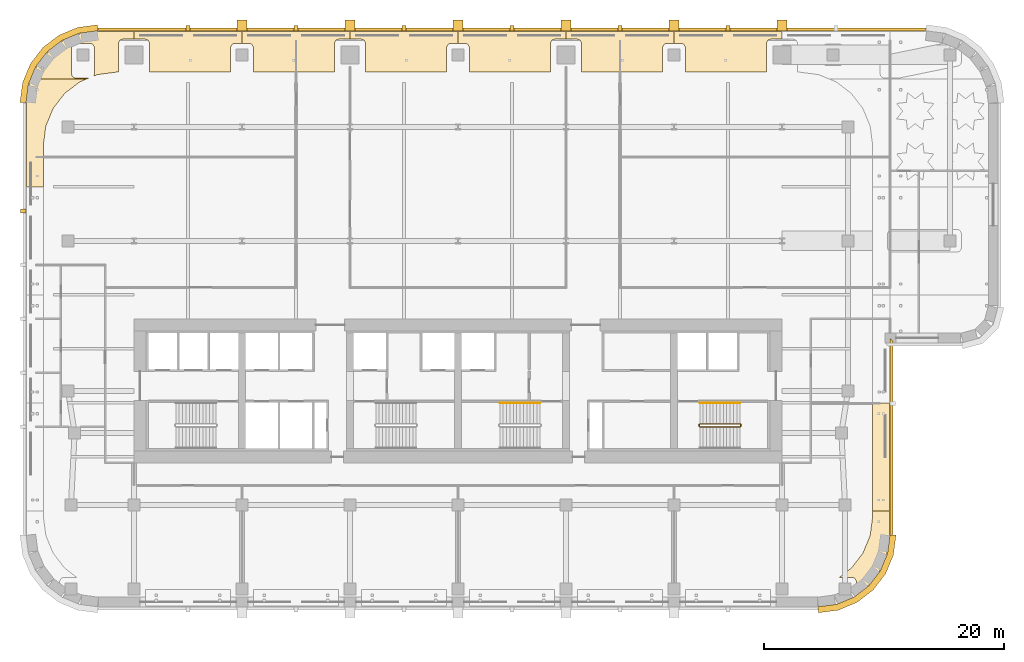
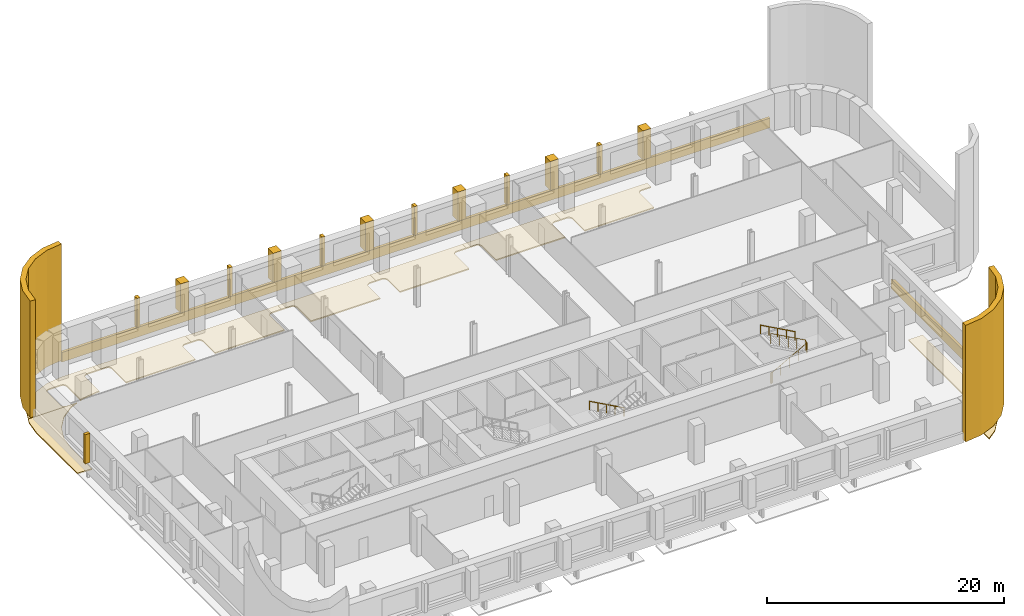
# One storey, part 12 of 13: 27 coverings, 3 railings.
"""IFC4 building model written with IfcOpenShell, lengths in metres."""

from ifc_helpers import new_model, si_unit, direction, frame, origin, origin_2d, place, context, subcontext, project, spatial, polyline, circle, outline, extrude, material, layer, layer_set, type_object, element, save


model = new_model("IFC4")

# Units and contexts
model_context = context("Model", 3, precision=1e-05, world=origin(), true_north=direction((0.0, 1.0)))
body_context = subcontext(model_context, "Body", "Model", "MODEL_VIEW")
ifc_project = project(units=[si_unit("LENGTHUNIT", "METRE"), si_unit("AREAUNIT", "SQUARE_METRE"), si_unit("VOLUMEUNIT", "CUBIC_METRE"), si_unit("PLANEANGLEUNIT", "RADIAN"), si_unit("MASSUNIT", "GRAM", prefix="KILO")], contexts=[model_context])

# Site, building, storey
site_placement = place(None, origin())
site = spatial("IfcSite", under=ifc_project, at=site_placement, CompositionType="ELEMENT")
building_placement = place(site_placement, origin())
building = spatial("IfcBuilding", under=site, at=building_placement, Name="Zellij Exchange Tower", CompositionType="ELEMENT")
storey_placement = place(building_placement, frame((0.0, 0.0, 108.5)))
storey = spatial("IfcBuildingStorey", under=building, at=storey_placement, Name="L23", CompositionType="ELEMENT", Elevation=108.5)

# Railings
ifc_material_1 = material(Name="Stainless steel", Category="steel")
railing_type_1 = type_object("IfcRailingType", Name="CORE-RG stair guard", PredefinedType="GUARDRAIL", material=ifc_material_1)
railing_placement = place(storey_placement, frame((20.10009765625, -10.949951171875, 0.0)))
element("IfcRailing", 1, at=railing_placement, inside=storey, type_object=railing_type_1, Name="ST4 stair guard L23", PredefinedType="GUARDRAIL", context=body_context, shape_type="SweptSolid", body=[
    extrude(circle(Radius=0.02392578125, at=origin_2d()), frame((0.0, 0.0, 1.076171875), z_axis=(0.0, 1.0, 0.0), x_axis=(-1.0, 0.0, 0.0)), (0.0, 0.0, 1.0), 0.14990234375),
    extrude(circle(Radius=0.02392578125, at=origin_2d()), frame((0.0, 0.14990234375, 1.076171875), z_axis=(0.193691321961, -0.777613689637, 0.598164376644), x_axis=(0.970351222016, 0.241699205484, 0.0)), (0.0, 0.0, 1.0), 0.257080078125),
    extrude(circle(Radius=0.02392578125, at=origin_2d()), frame((0.0498046875, -0.050048828125, 1.22998046875), z_axis=(0.876421534553, 0.0, 0.481544695509), x_axis=(0.0, 1.0, 0.0)), (0.0, 0.0, 1.0), 3.833984375),
    extrude(circle(Radius=0.02392578125, at=origin_2d()), frame((3.409912109375, -0.050048828125, 3.076171875), z_axis=(0.707106781187, 0.707106781187, 0.0), x_axis=(-0.707106781187, 0.707106781187, 0.0)), (0.0, 0.0, 1.0), 0.07080078125),
    extrude(circle(Radius=0.02392578125, at=origin_2d()), frame((3.4599609375, 0.0, 3.076171875), z_axis=(0.0, 1.0, 0.0), x_axis=(-1.0, 0.0, 0.0)), (0.0, 0.0, 1.0), 0.14990234375),
    extrude(circle(Radius=0.02392578125, at=origin_2d()), frame((3.4599609375, 0.14990234375, 3.076171875), z_axis=(-0.295599637079, 0.295599637079, 0.908428152975), x_axis=(-0.707106781187, -0.707106781187, 0.0)), (0.0, 0.0, 1.0), 0.16943359375),
    extrude(circle(Radius=0.02392578125, at=origin_2d()), frame((3.409912109375, 0.199951171875, 3.22998046875), z_axis=(-0.876421534553, 0.0, 0.481544695509), x_axis=(0.0, -1.0, 0.0)), (0.0, 0.0, 1.0), 3.833984375),
    extrude(circle(Radius=0.02099609375, at=origin_2d()), origin(), (0.0, 0.0, 1.0), 1.052001953125),
    extrude(circle(Radius=0.02099609375, at=origin_2d()), frame((0.0, 0.14990234375, 0.0)), (0.0, 0.0, 1.0), 1.052001953125),
    extrude(circle(Radius=0.02099609375, at=origin_2d()), frame((0.0498046875, -0.050048828125, 0.15380859375)), (0.0, 0.0, 1.0), 1.052001953125),
    extrude(circle(Radius=0.02099609375, at=origin_2d()), frame((0.889892578125, -0.050048828125, 0.615234375)), (0.0, 0.0, 1.0), 1.052001953125),
    extrude(circle(Radius=0.02099609375, at=origin_2d()), frame((1.72998046875, -0.050048828125, 1.076904296875)), (0.0, 0.0, 1.0), 1.052001953125),
    extrude(circle(Radius=0.02099609375, at=origin_2d()), frame((2.56982421875, -0.050048828125, 1.53857421875)), (0.0, 0.0, 1.0), 1.052001953125),
    extrude(circle(Radius=0.02099609375, at=origin_2d()), frame((3.409912109375, -0.050048828125, 2.0)), (0.0, 0.0, 1.0), 1.052001953125),
    extrude(circle(Radius=0.02099609375, at=origin_2d()), frame((3.4599609375, 0.0, 2.0)), (0.0, 0.0, 1.0), 1.052001953125),
    extrude(circle(Radius=0.02099609375, at=origin_2d()), frame((3.4599609375, 0.14990234375, 2.0)), (0.0, 0.0, 1.0), 1.052001953125),
    extrude(circle(Radius=0.02099609375, at=origin_2d()), frame((3.409912109375, 0.199951171875, 2.15380859375)), (0.0, 0.0, 1.0), 1.052001953125),
    extrude(circle(Radius=0.02099609375, at=origin_2d()), frame((2.56982421875, 0.199951171875, 2.615234375)), (0.0, 0.0, 1.0), 1.052001953125),
    extrude(circle(Radius=0.02099609375, at=origin_2d()), frame((1.72998046875, 0.199951171875, 3.076904296875)), (0.0, 0.0, 1.0), 1.052001953125),
    extrude(circle(Radius=0.02099609375, at=origin_2d()), frame((0.889892578125, 0.199951171875, 3.53857421875)), (0.0, 0.0, 1.0), 1.052001953125),
    extrude(circle(Radius=0.02099609375, at=origin_2d()), frame((0.0498046875, 0.199951171875, 4.0)), (0.0, 0.0, 1.0), 1.052001953125),
])
railing_type_2 = type_object("IfcRailingType", Name="CORE-RH stair handrail", PredefinedType="HANDRAIL", material=ifc_material_1)
for number, where, name in (
    (2, (6.85009765625, -9.0, 0.15380859375), "ST3 stair handrail L23"),
    (3, (23.510009765625, -9.0, 2.15380859375), "ST4 stair handrail L23"),
):
    element("IfcRailing", number, at=place(storey_placement, frame(where)), inside=storey, type_object=railing_type_2, Name=name, PredefinedType="HANDRAIL", context=body_context, shape_type="SweptSolid", body=[
        extrude(circle(Radius=0.02392578125, at=origin_2d()), frame((0.0, 0.0, 0.8759765625), z_axis=(-0.876421534553, 0.0, 0.481544695509), x_axis=(0.0, -1.0, 0.0)), (0.0, 0.0, 1.0), 3.833984375),
        extrude(circle(Radius=0.02099609375, at=origin_2d()), origin(), (0.0, 0.0, 1.0), 0.851806640625),
        extrude(circle(Radius=0.02099609375, at=origin_2d()), frame((-0.840087890625, 0.0, 0.46142578125)), (0.0, 0.0, 1.0), 0.851806640625),
        extrude(circle(Radius=0.02099609375, at=origin_2d()), frame((-1.68017578125, 0.0, 0.923095703125)), (0.0, 0.0, 1.0), 0.851806640625),
        extrude(circle(Radius=0.02099609375, at=origin_2d()), frame((-2.52001953125, 0.0, 1.384765625)), (0.0, 0.0, 1.0), 0.851806640625),
        extrude(circle(Radius=0.02099609375, at=origin_2d()), frame((-3.360107421875, 0.0, 1.84619140625)), (0.0, 0.0, 1.0), 0.851806640625),
    ])

# Coverings
ifc_material_2 = material(Name="Limestone cladding", Category="masonry")
ifc_layer_1 = layer(ifc_material_2, 0.5)
ifc_layer_set_1 = layer_set([ifc_layer_1], Name="Limestone cladding")
covering_type_1 = type_object("IfcCoveringType", Name="ENV-CV12 Stone corner pier 500", PredefinedType="CLADDING", material=ifc_layer_set_1)
covering_1_placement = place(storey_placement, origin())
element("IfcCovering", 4, at=covering_1_placement, inside=storey, type_object=covering_type_1, Name="Stone corner pier", PredefinedType="CLADDING", context=body_context, shape_type="SweptSolid", body=[
    extrude(outline(polyline([(30.0, -26.0), (31.552978515625, -25.795654296875), (33.0, -25.1962890625), (34.24267578125, -24.24267578125), (35.1962890625, -23.0), (35.795654296875, -21.552978515625), (36.0, -20.0), (36.5, -20.03271484375), (36.28271484375, -21.683349609375), (35.6328125, -23.252197265625), (34.59912109375, -24.59912109375), (33.252197265625, -25.6328125), (31.683349609375, -26.28271484375), (30.03271484375, -26.5), (30.0, -26.0)])), origin(), (0.0, 0.0, 1.0), 12.0),
])
covering_2_placement = place(storey_placement, origin())
element("IfcCovering", 5, at=covering_2_placement, inside=storey, type_object=covering_type_1, Name="Stone corner pier", PredefinedType="CLADDING", context=body_context, shape_type="SweptSolid", body=[
    extrude(outline(polyline([(-30.0, 22.0), (-31.552978515625, 21.795654296875), (-33.0, 21.1962890625), (-34.24267578125, 20.24267578125), (-35.1962890625, 19.0), (-35.795654296875, 17.552978515625), (-36.0, 16.0), (-36.5, 16.03271484375), (-36.28271484375, 17.683349609375), (-35.6328125, 19.252197265625), (-34.59912109375, 20.59912109375), (-33.252197265625, 21.6328125), (-31.683349609375, 22.28271484375), (-30.03271484375, 22.5), (-30.0, 22.0)])), origin(), (0.0, 0.0, 1.0), 12.0),
])
covering_type_2 = type_object("IfcCoveringType", Name="ENV-CV5 Stone pier 800x900", PredefinedType="CLADDING", material=ifc_material_2)
covering_3_placement = place(storey_placement, frame((0.0, 0.0, 0.800048828125)))
element("IfcCovering", 6, at=covering_3_placement, inside=storey, type_object=covering_type_2, Name="Stone pier", PredefinedType="CLADDING", context=body_context, shape_type="SweptSolid", body=[
    extrude(outline(polyline([(27.39990234375, 22.0), (26.60009765625, 22.0), (26.60009765625, 22.89990234375), (27.39990234375, 22.89990234375), (27.39990234375, 22.0)])), origin(), (0.0, 0.0, 1.0), 3.0),
])
covering_4_placement = place(storey_placement, frame((0.0, 0.0, 0.800048828125)))
element("IfcCovering", 7, at=covering_4_placement, inside=storey, type_object=covering_type_2, Name="Stone pier", PredefinedType="CLADDING", context=body_context, shape_type="SweptSolid", body=[
    extrude(outline(polyline([(18.39990234375, 22.0), (17.60009765625, 22.0), (17.60009765625, 22.89990234375), (18.39990234375, 22.89990234375), (18.39990234375, 22.0)])), origin(), (0.0, 0.0, 1.0), 3.0),
])
covering_5_placement = place(storey_placement, frame((0.0, 0.0, 0.800048828125)))
element("IfcCovering", 8, at=covering_5_placement, inside=storey, type_object=covering_type_2, Name="Stone pier", PredefinedType="CLADDING", context=body_context, shape_type="SweptSolid", body=[
    extrude(outline(polyline([(9.39990234375, 22.0), (8.60009765625, 22.0), (8.60009765625, 22.89990234375), (9.39990234375, 22.89990234375), (9.39990234375, 22.0)])), origin(), (0.0, 0.0, 1.0), 3.0),
])
covering_6_placement = place(storey_placement, frame((0.0, 0.0, 0.800048828125)))
element("IfcCovering", 9, at=covering_6_placement, inside=storey, type_object=covering_type_2, Name="Stone pier", PredefinedType="CLADDING", context=body_context, shape_type="SweptSolid", body=[
    extrude(outline(polyline([(0.39990234375, 22.0), (-0.39990234375, 22.0), (-0.39990234375, 22.89990234375), (0.39990234375, 22.89990234375), (0.39990234375, 22.0)])), origin(), (0.0, 0.0, 1.0), 3.0),
])
covering_7_placement = place(storey_placement, frame((0.0, 0.0, 0.800048828125)))
element("IfcCovering", 10, at=covering_7_placement, inside=storey, type_object=covering_type_2, Name="Stone pier", PredefinedType="CLADDING", context=body_context, shape_type="SweptSolid", body=[
    extrude(outline(polyline([(-8.60009765625, 22.0), (-9.39990234375, 22.0), (-9.39990234375, 22.89990234375), (-8.60009765625, 22.89990234375), (-8.60009765625, 22.0)])), origin(), (0.0, 0.0, 1.0), 3.0),
])
covering_8_placement = place(storey_placement, frame((0.0, 0.0, 0.800048828125)))
element("IfcCovering", 11, at=covering_8_placement, inside=storey, type_object=covering_type_2, Name="Stone pier", PredefinedType="CLADDING", context=body_context, shape_type="SweptSolid", body=[
    extrude(outline(polyline([(-17.60009765625, 22.0), (-18.39990234375, 22.0), (-18.39990234375, 22.89990234375), (-17.60009765625, 22.89990234375), (-17.60009765625, 22.0)])), origin(), (0.0, 0.0, 1.0), 3.0),
])
covering_type_3 = type_object("IfcCoveringType", Name="ENV-CV7 Stone pier 300x450", PredefinedType="CLADDING", material=ifc_material_2)
covering_9_placement = place(storey_placement, frame((0.0, 0.0, 0.800048828125)))
element("IfcCovering", 12, at=covering_9_placement, inside=storey, type_object=covering_type_3, Name="Stone pier", PredefinedType="CLADDING", context=body_context, shape_type="SweptSolid", body=[
    extrude(outline(polyline([(22.64990234375, 22.0), (22.35009765625, 22.0), (22.35009765625, 22.449951171875), (22.64990234375, 22.449951171875), (22.64990234375, 22.0)])), origin(), (0.0, 0.0, 1.0), 3.0),
])
covering_10_placement = place(storey_placement, frame((0.0, 0.0, 0.800048828125)))
element("IfcCovering", 13, at=covering_10_placement, inside=storey, type_object=covering_type_3, Name="Stone pier", PredefinedType="CLADDING", context=body_context, shape_type="SweptSolid", body=[
    extrude(outline(polyline([(13.64990234375, 22.0), (13.35009765625, 22.0), (13.35009765625, 22.449951171875), (13.64990234375, 22.449951171875), (13.64990234375, 22.0)])), origin(), (0.0, 0.0, 1.0), 3.0),
])
covering_11_placement = place(storey_placement, frame((0.0, 0.0, 0.800048828125)))
element("IfcCovering", 14, at=covering_11_placement, inside=storey, type_object=covering_type_3, Name="Stone pier", PredefinedType="CLADDING", context=body_context, shape_type="SweptSolid", body=[
    extrude(outline(polyline([(4.64990234375, 22.0), (4.35009765625, 22.0), (4.35009765625, 22.449951171875), (4.64990234375, 22.449951171875), (4.64990234375, 22.0)])), origin(), (0.0, 0.0, 1.0), 3.0),
])
covering_12_placement = place(storey_placement, frame((0.0, 0.0, 0.800048828125)))
element("IfcCovering", 15, at=covering_12_placement, inside=storey, type_object=covering_type_3, Name="Stone pier", PredefinedType="CLADDING", context=body_context, shape_type="SweptSolid", body=[
    extrude(outline(polyline([(-4.35009765625, 22.0), (-4.64990234375, 22.0), (-4.64990234375, 22.449951171875), (-4.35009765625, 22.449951171875), (-4.35009765625, 22.0)])), origin(), (0.0, 0.0, 1.0), 3.0),
])
covering_13_placement = place(storey_placement, frame((0.0, 0.0, 0.800048828125)))
element("IfcCovering", 16, at=covering_13_placement, inside=storey, type_object=covering_type_3, Name="Stone pier", PredefinedType="CLADDING", context=body_context, shape_type="SweptSolid", body=[
    extrude(outline(polyline([(-13.35009765625, 22.0), (-13.64990234375, 22.0), (-13.64990234375, 22.449951171875), (-13.35009765625, 22.449951171875), (-13.35009765625, 22.0)])), origin(), (0.0, 0.0, 1.0), 3.0),
])
covering_14_placement = place(storey_placement, frame((0.0, 0.0, 0.800048828125)))
element("IfcCovering", 17, at=covering_14_placement, inside=storey, type_object=covering_type_3, Name="Stone pier", PredefinedType="CLADDING", context=body_context, shape_type="SweptSolid", body=[
    extrude(outline(polyline([(-22.35009765625, 22.0), (-22.64990234375, 22.0), (-22.64990234375, 22.449951171875), (-22.35009765625, 22.449951171875), (-22.35009765625, 22.0)])), origin(), (0.0, 0.0, 1.0), 3.0),
])
covering_15_placement = place(storey_placement, frame((0.0, 0.0, 0.800048828125)))
element("IfcCovering", 18, at=covering_15_placement, inside=storey, type_object=covering_type_3, Name="Stone pier", PredefinedType="CLADDING", context=body_context, shape_type="SweptSolid", body=[
    extrude(outline(polyline([(-36.0, 7.136962890625), (-36.0, 6.8369140625), (-36.449951171875, 6.8369140625), (-36.449951171875, 7.136962890625), (-36.0, 7.136962890625)])), origin(), (0.0, 0.0, 1.0), 3.0),
])
ifc_layer_2 = layer(ifc_material_2, 0.25)
ifc_layer_set_2 = layer_set([ifc_layer_2], Name="Limestone cladding")
covering_type_4 = type_object("IfcCoveringType", Name="ENV-CV8 Stone spandrel band 250", PredefinedType="CLADDING", material=ifc_layer_set_2)
covering_16_placement = place(storey_placement, frame((0.0, 0.0, -0.199951171875)))
element("IfcCovering", 19, at=covering_16_placement, inside=storey, type_object=covering_type_4, Name="Stone spandrel band", PredefinedType="CLADDING", context=body_context, shape_type="SweptSolid", body=[
    extrude(outline(polyline([(36.0, -19.973876953125), (36.0, -3.60009765625), (36.25, -3.85009765625), (36.25, -19.990234375), (36.0, -19.973876953125)])), origin(), (0.0, 0.0, 1.0), 1.0),
])
covering_17_placement = place(storey_placement, frame((0.0, 0.0, -0.199951171875)))
element("IfcCovering", 20, at=covering_17_placement, inside=storey, type_object=covering_type_4, Name="Stone spandrel band", PredefinedType="CLADDING", context=body_context, shape_type="SweptSolid", body=[
    extrude(outline(polyline([(38.973876953125, 22.0), (-29.973876953125, 22.0), (-29.990234375, 22.25), (38.990234375, 22.25), (38.973876953125, 22.0)])), origin(), (0.0, 0.0, 1.0), 1.0),
])
ifc_material_3 = material(Name="Limestone screen", Category="masonry")
ifc_layer_3 = layer(ifc_material_3, 0.1201171875)
ifc_layer_set_3 = layer_set([ifc_layer_3], Name="Limestone screen")
covering_type_5 = type_object("IfcCoveringType", Name="ENV-SC1 Pierced stone screen 120", PredefinedType="USERDEFINED", material=ifc_layer_set_3)
covering_18_placement = place(storey_placement, frame((0.0, 0.0, -1.77001953125)))
element("IfcCovering", 21, at=covering_18_placement, inside=storey, type_object=covering_type_5, Name="Pierced stone screen", ObjectType="SCREEN", PredefinedType="USERDEFINED", context=body_context, shape_type="SweptSolid", body=[
    extrude(outline(polyline([(-31.51904296875, 17.7421875), (-31.523193359375, 17.740478515625), (-31.52685546875, 17.73828125), (-31.530517578125, 17.73583984375), (-32.773193359375, 16.7822265625), (-32.7763671875, 16.779541015625), (-32.779541015625, 16.7763671875), (-32.7822265625, 16.773193359375), (-33.73583984375, 15.530517578125), (-33.73828125, 15.52685546875), (-33.740478515625, 15.523193359375), (-33.7421875, 15.51904296875), (-34.341796875, 14.072021484375), (-34.34326171875, 14.06787109375), (-34.344482421875, 14.063720703125), (-34.34521484375, 14.059326171875), (-34.549560546875, 12.506591796875), (-34.550048828125, 12.5), (-34.550048828125, 9.0), (-35.949951171875, 9.0), (-35.949951171875, 15.99658203125), (-35.746826171875, 17.539794921875), (-35.55615234375, 18.0), (-30.897216796875, 18.0), (-31.51904296875, 17.7421875)])), origin(), (0.0, 0.0, 1.0), 0.1201171875),
])
covering_19_placement = place(storey_placement, frame((0.0, 0.0, -1.77001953125)))
element("IfcCovering", 22, at=covering_19_placement, inside=storey, type_object=covering_type_5, Name="Pierced stone screen", ObjectType="SCREEN", PredefinedType="USERDEFINED", context=body_context, shape_type="SweptSolid", body=[
    extrude(outline(polyline([(-27.89990234375, 21.300048828125), (-27.939208984375, 21.298095703125), (-27.97802734375, 21.292236328125), (-28.01611328125, 21.28271484375), (-28.052978515625, 21.26953125), (-28.088623046875, 21.252685546875), (-28.122314453125, 21.232666015625), (-28.15380859375, 21.209228515625), (-28.182861328125, 21.182861328125), (-28.209228515625, 21.15380859375), (-28.232666015625, 21.122314453125), (-28.252685546875, 21.088623046875), (-28.26953125, 21.052978515625), (-28.28271484375, 21.01611328125), (-28.292236328125, 20.97802734375), (-28.298095703125, 20.939208984375), (-28.300048828125, 20.89990234375), (-28.300048828125, 18.550048828125), (-28.5, 18.550048828125), (-28.506591796875, 18.549560546875), (-30.059326171875, 18.34521484375), (-30.063720703125, 18.344482421875), (-30.06787109375, 18.34326171875), (-30.072021484375, 18.341796875), (-30.37646484375, 18.2158203125), (-30.367431640625, 18.227783203125), (-30.34716796875, 18.261474609375), (-30.330322265625, 18.296875), (-30.317138671875, 18.333984375), (-30.3076171875, 18.3720703125), (-30.302001953125, 18.410888671875), (-30.300048828125, 18.449951171875), (-30.300048828125, 20.550048828125), (-30.302001953125, 20.589111328125), (-30.3076171875, 20.6279296875), (-30.317138671875, 20.666015625), (-30.330322265625, 20.703125), (-30.34716796875, 20.738525390625), (-30.367431640625, 20.772216796875), (-30.390869140625, 20.8037109375), (-30.417236328125, 20.832763671875), (-30.4462890625, 20.859130859375), (-30.477783203125, 20.882568359375), (-30.511474609375, 20.90283203125), (-30.546875, 20.919677734375), (-30.583984375, 20.932861328125), (-30.6220703125, 20.9423828125), (-30.660888671875, 20.947998046875), (-30.699951171875, 20.949951171875), (-31.800048828125, 20.949951171875), (-31.839111328125, 20.947998046875), (-31.8779296875, 20.9423828125), (-31.916015625, 20.932861328125), (-31.953125, 20.919677734375), (-31.988525390625, 20.90283203125), (-32.022216796875, 20.882568359375), (-32.0537109375, 20.859130859375), (-32.082763671875, 20.832763671875), (-32.109130859375, 20.8037109375), (-32.132568359375, 20.772216796875), (-32.15283203125, 20.738525390625), (-32.169677734375, 20.703125), (-32.182861328125, 20.666015625), (-32.1923828125, 20.6279296875), (-32.197998046875, 20.589111328125), (-32.199951171875, 20.550048828125), (-32.199951171875, 18.449951171875), (-32.197998046875, 18.410888671875), (-32.1923828125, 18.3720703125), (-32.182861328125, 18.333984375), (-32.169677734375, 18.296875), (-32.15283203125, 18.261474609375), (-32.132568359375, 18.227783203125), (-32.109130859375, 18.1962890625), (-32.082763671875, 18.167236328125), (-32.0537109375, 18.140869140625), (-32.022216796875, 18.117431640625), (-31.988525390625, 18.09716796875), (-31.953125, 18.080322265625), (-31.916015625, 18.067138671875), (-31.8779296875, 18.0576171875), (-31.839111328125, 18.052001953125), (-31.800048828125, 18.050048828125), (-30.7763671875, 18.050048828125), (-30.897216796875, 18.0), (-35.55615234375, 18.0), (-35.152587890625, 18.974853515625), (-34.20703125, 20.20703125), (-32.974853515625, 21.152587890625), (-31.539794921875, 21.746826171875), (-29.99658203125, 21.949951171875), (-27.0, 21.949951171875), (-27.0, 21.300048828125), (-27.89990234375, 21.300048828125)])), origin(), (0.0, 0.0, 1.0), 0.1201171875),
])
covering_20_placement = place(storey_placement, frame((0.0, 0.0, -1.77001953125)))
element("IfcCovering", 23, at=covering_20_placement, inside=storey, type_object=covering_type_5, Name="Pierced stone screen", ObjectType="SCREEN", PredefinedType="USERDEFINED", context=body_context, shape_type="SweptSolid", body=[
    extrude(outline(polyline([(-18.550048828125, 20.949951171875), (-18.589111328125, 20.947998046875), (-18.6279296875, 20.9423828125), (-18.666015625, 20.932861328125), (-18.703125, 20.919677734375), (-18.738525390625, 20.90283203125), (-18.772216796875, 20.882568359375), (-18.8037109375, 20.859130859375), (-18.832763671875, 20.832763671875), (-18.859130859375, 20.8037109375), (-18.882568359375, 20.772216796875), (-18.90283203125, 20.738525390625), (-18.919677734375, 20.703125), (-18.932861328125, 20.666015625), (-18.9423828125, 20.6279296875), (-18.947998046875, 20.589111328125), (-18.949951171875, 20.550048828125), (-18.949951171875, 18.550048828125), (-25.699951171875, 18.550048828125), (-25.699951171875, 20.89990234375), (-25.701904296875, 20.939208984375), (-25.707763671875, 20.97802734375), (-25.71728515625, 21.01611328125), (-25.73046875, 21.052978515625), (-25.747314453125, 21.088623046875), (-25.767333984375, 21.122314453125), (-25.790771484375, 21.15380859375), (-25.817138671875, 21.182861328125), (-25.84619140625, 21.209228515625), (-25.877685546875, 21.232666015625), (-25.911376953125, 21.252685546875), (-25.947021484375, 21.26953125), (-25.98388671875, 21.28271484375), (-26.02197265625, 21.292236328125), (-26.060791015625, 21.298095703125), (-26.10009765625, 21.300048828125), (-27.0, 21.300048828125), (-27.0, 21.949951171875), (-18.0, 21.949951171875), (-18.0, 20.949951171875), (-18.550048828125, 20.949951171875)])), origin(), (0.0, 0.0, 1.0), 0.1201171875),
])
covering_21_placement = place(storey_placement, frame((0.0, 0.0, -1.77001953125)))
element("IfcCovering", 24, at=covering_21_placement, inside=storey, type_object=covering_type_5, Name="Pierced stone screen", ObjectType="SCREEN", PredefinedType="USERDEFINED", context=body_context, shape_type="SweptSolid", body=[
    extrude(outline(polyline([(-9.89990234375, 21.300048828125), (-9.939208984375, 21.298095703125), (-9.97802734375, 21.292236328125), (-10.01611328125, 21.28271484375), (-10.052978515625, 21.26953125), (-10.088623046875, 21.252685546875), (-10.122314453125, 21.232666015625), (-10.15380859375, 21.209228515625), (-10.182861328125, 21.182861328125), (-10.209228515625, 21.15380859375), (-10.232666015625, 21.122314453125), (-10.252685546875, 21.088623046875), (-10.26953125, 21.052978515625), (-10.28271484375, 21.01611328125), (-10.292236328125, 20.97802734375), (-10.298095703125, 20.939208984375), (-10.300048828125, 20.89990234375), (-10.300048828125, 18.550048828125), (-17.050048828125, 18.550048828125), (-17.050048828125, 20.550048828125), (-17.052001953125, 20.589111328125), (-17.0576171875, 20.6279296875), (-17.067138671875, 20.666015625), (-17.080322265625, 20.703125), (-17.09716796875, 20.738525390625), (-17.117431640625, 20.772216796875), (-17.140869140625, 20.8037109375), (-17.167236328125, 20.832763671875), (-17.1962890625, 20.859130859375), (-17.227783203125, 20.882568359375), (-17.261474609375, 20.90283203125), (-17.296875, 20.919677734375), (-17.333984375, 20.932861328125), (-17.3720703125, 20.9423828125), (-17.410888671875, 20.947998046875), (-17.449951171875, 20.949951171875), (-18.0, 20.949951171875), (-18.0, 21.949951171875), (-9.0, 21.949951171875), (-9.0, 21.300048828125), (-9.89990234375, 21.300048828125)])), origin(), (0.0, 0.0, 1.0), 0.1201171875),
])
covering_22_placement = place(storey_placement, frame((0.0, 0.0, -1.77001953125)))
element("IfcCovering", 25, at=covering_22_placement, inside=storey, type_object=covering_type_5, Name="Pierced stone screen", ObjectType="SCREEN", PredefinedType="USERDEFINED", context=body_context, shape_type="SweptSolid", body=[
    extrude(outline(polyline([(-0.550048828125, 20.949951171875), (-0.589111328125, 20.947998046875), (-0.6279296875, 20.9423828125), (-0.666015625, 20.932861328125), (-0.703125, 20.919677734375), (-0.738525390625, 20.90283203125), (-0.772216796875, 20.882568359375), (-0.8037109375, 20.859130859375), (-0.832763671875, 20.832763671875), (-0.859130859375, 20.8037109375), (-0.882568359375, 20.772216796875), (-0.90283203125, 20.738525390625), (-0.919677734375, 20.703125), (-0.932861328125, 20.666015625), (-0.9423828125, 20.6279296875), (-0.947998046875, 20.589111328125), (-0.949951171875, 20.550048828125), (-0.949951171875, 18.550048828125), (-7.699951171875, 18.550048828125), (-7.699951171875, 20.89990234375), (-7.701904296875, 20.939208984375), (-7.707763671875, 20.97802734375), (-7.71728515625, 21.01611328125), (-7.73046875, 21.052978515625), (-7.747314453125, 21.088623046875), (-7.767333984375, 21.122314453125), (-7.790771484375, 21.15380859375), (-7.817138671875, 21.182861328125), (-7.84619140625, 21.209228515625), (-7.877685546875, 21.232666015625), (-7.911376953125, 21.252685546875), (-7.947021484375, 21.26953125), (-7.98388671875, 21.28271484375), (-8.02197265625, 21.292236328125), (-8.060791015625, 21.298095703125), (-8.10009765625, 21.300048828125), (-9.0, 21.300048828125), (-9.0, 21.949951171875), (0.0, 21.949951171875), (0.0, 20.949951171875), (-0.550048828125, 20.949951171875)])), origin(), (0.0, 0.0, 1.0), 0.1201171875),
])
covering_23_placement = place(storey_placement, frame((0.0, 0.0, -1.77001953125)))
element("IfcCovering", 26, at=covering_23_placement, inside=storey, type_object=covering_type_5, Name="Pierced stone screen", ObjectType="SCREEN", PredefinedType="USERDEFINED", context=body_context, shape_type="SweptSolid", body=[
    extrude(outline(polyline([(8.10009765625, 21.300048828125), (8.060791015625, 21.298095703125), (8.02197265625, 21.292236328125), (7.98388671875, 21.28271484375), (7.947021484375, 21.26953125), (7.911376953125, 21.252685546875), (7.877685546875, 21.232666015625), (7.84619140625, 21.209228515625), (7.817138671875, 21.182861328125), (7.790771484375, 21.15380859375), (7.767333984375, 21.122314453125), (7.747314453125, 21.088623046875), (7.73046875, 21.052978515625), (7.71728515625, 21.01611328125), (7.707763671875, 20.97802734375), (7.701904296875, 20.939208984375), (7.699951171875, 20.89990234375), (7.699951171875, 18.550048828125), (0.949951171875, 18.550048828125), (0.949951171875, 20.550048828125), (0.947998046875, 20.589111328125), (0.9423828125, 20.6279296875), (0.932861328125, 20.666015625), (0.919677734375, 20.703125), (0.90283203125, 20.738525390625), (0.882568359375, 20.772216796875), (0.859130859375, 20.8037109375), (0.832763671875, 20.832763671875), (0.8037109375, 20.859130859375), (0.772216796875, 20.882568359375), (0.738525390625, 20.90283203125), (0.703125, 20.919677734375), (0.666015625, 20.932861328125), (0.6279296875, 20.9423828125), (0.589111328125, 20.947998046875), (0.550048828125, 20.949951171875), (0.0, 20.949951171875), (0.0, 21.949951171875), (9.0, 21.949951171875), (9.0, 21.300048828125), (8.10009765625, 21.300048828125)])), origin(), (0.0, 0.0, 1.0), 0.1201171875),
])
covering_24_placement = place(storey_placement, frame((0.0, 0.0, -1.77001953125)))
element("IfcCovering", 27, at=covering_24_placement, inside=storey, type_object=covering_type_5, Name="Pierced stone screen", ObjectType="SCREEN", PredefinedType="USERDEFINED", context=body_context, shape_type="SweptSolid", body=[
    extrude(outline(polyline([(17.449951171875, 20.949951171875), (17.410888671875, 20.947998046875), (17.3720703125, 20.9423828125), (17.333984375, 20.932861328125), (17.296875, 20.919677734375), (17.261474609375, 20.90283203125), (17.227783203125, 20.882568359375), (17.1962890625, 20.859130859375), (17.167236328125, 20.832763671875), (17.140869140625, 20.8037109375), (17.117431640625, 20.772216796875), (17.09716796875, 20.738525390625), (17.080322265625, 20.703125), (17.067138671875, 20.666015625), (17.0576171875, 20.6279296875), (17.052001953125, 20.589111328125), (17.050048828125, 20.550048828125), (17.050048828125, 18.550048828125), (10.300048828125, 18.550048828125), (10.300048828125, 20.89990234375), (10.298095703125, 20.939208984375), (10.292236328125, 20.97802734375), (10.28271484375, 21.01611328125), (10.26953125, 21.052978515625), (10.252685546875, 21.088623046875), (10.232666015625, 21.122314453125), (10.209228515625, 21.15380859375), (10.182861328125, 21.182861328125), (10.15380859375, 21.209228515625), (10.122314453125, 21.232666015625), (10.088623046875, 21.252685546875), (10.052978515625, 21.26953125), (10.01611328125, 21.28271484375), (9.97802734375, 21.292236328125), (9.939208984375, 21.298095703125), (9.89990234375, 21.300048828125), (9.0, 21.300048828125), (9.0, 21.949951171875), (18.0, 21.949951171875), (18.0, 20.949951171875), (17.449951171875, 20.949951171875)])), origin(), (0.0, 0.0, 1.0), 0.1201171875),
])
covering_25_placement = place(storey_placement, frame((0.0, 0.0, -1.77001953125)))
element("IfcCovering", 28, at=covering_25_placement, inside=storey, type_object=covering_type_5, Name="Pierced stone screen", ObjectType="SCREEN", PredefinedType="USERDEFINED", context=body_context, shape_type="SweptSolid", body=[
    extrude(outline(polyline([(26.10009765625, 21.300048828125), (26.060791015625, 21.298095703125), (26.02197265625, 21.292236328125), (25.98388671875, 21.28271484375), (25.947021484375, 21.26953125), (25.911376953125, 21.252685546875), (25.877685546875, 21.232666015625), (25.84619140625, 21.209228515625), (25.817138671875, 21.182861328125), (25.790771484375, 21.15380859375), (25.767333984375, 21.122314453125), (25.747314453125, 21.088623046875), (25.73046875, 21.052978515625), (25.71728515625, 21.01611328125), (25.707763671875, 20.97802734375), (25.701904296875, 20.939208984375), (25.699951171875, 20.89990234375), (25.699951171875, 18.550048828125), (18.949951171875, 18.550048828125), (18.949951171875, 20.550048828125), (18.947998046875, 20.589111328125), (18.9423828125, 20.6279296875), (18.932861328125, 20.666015625), (18.919677734375, 20.703125), (18.90283203125, 20.738525390625), (18.882568359375, 20.772216796875), (18.859130859375, 20.8037109375), (18.832763671875, 20.832763671875), (18.8037109375, 20.859130859375), (18.772216796875, 20.882568359375), (18.738525390625, 20.90283203125), (18.703125, 20.919677734375), (18.666015625, 20.932861328125), (18.6279296875, 20.9423828125), (18.589111328125, 20.947998046875), (18.550048828125, 20.949951171875), (18.0, 20.949951171875), (18.0, 21.949951171875), (27.0, 21.949951171875), (27.0, 21.300048828125), (26.10009765625, 21.300048828125)])), origin(), (0.0, 0.0, 1.0), 0.1201171875),
])
covering_26_placement = place(storey_placement, frame((0.0, 0.0, -1.77001953125)))
element("IfcCovering", 29, at=covering_26_placement, inside=storey, type_object=covering_type_5, Name="Pierced stone screen", ObjectType="SCREEN", PredefinedType="USERDEFINED", context=body_context, shape_type="SweptSolid", body=[
    extrude(outline(polyline([(34.20703125, -24.20703125), (33.199951171875, -24.979736328125), (33.199951171875, -23.949951171875), (33.197998046875, -23.910888671875), (33.1923828125, -23.8720703125), (33.182861328125, -23.833984375), (33.169677734375, -23.796875), (33.15283203125, -23.761474609375), (33.132568359375, -23.727783203125), (33.109130859375, -23.6962890625), (33.082763671875, -23.667236328125), (33.0537109375, -23.640869140625), (33.022216796875, -23.617431640625), (32.988525390625, -23.59716796875), (32.953125, -23.580322265625), (32.916015625, -23.567138671875), (32.8779296875, -23.5576171875), (32.839111328125, -23.552001953125), (32.800048828125, -23.550048828125), (31.772705078125, -23.550048828125), (32.773193359375, -22.7822265625), (32.7763671875, -22.779541015625), (32.779541015625, -22.7763671875), (32.7822265625, -22.773193359375), (33.73583984375, -21.530517578125), (33.73828125, -21.52685546875), (33.740478515625, -21.523193359375), (33.7421875, -21.51904296875), (34.341796875, -20.072021484375), (34.34326171875, -20.06787109375), (34.344482421875, -20.063720703125), (34.34521484375, -20.059326171875), (34.549560546875, -18.506591796875), (34.550048828125, -18.5), (34.550048828125, -18.0), (35.949951171875, -18.0), (35.949951171875, -19.99658203125), (35.746826171875, -21.539794921875), (35.152587890625, -22.974853515625), (34.20703125, -24.20703125)])), origin(), (0.0, 0.0, 1.0), 0.1201171875),
])
covering_27_placement = place(storey_placement, frame((0.0, 0.0, -1.77001953125)))
element("IfcCovering", 30, at=covering_27_placement, inside=storey, type_object=covering_type_5, Name="Pierced stone screen", ObjectType="SCREEN", PredefinedType="USERDEFINED", context=body_context, shape_type="SweptSolid", body=[
    extrude(outline(polyline([(34.550048828125, -9.0), (35.949951171875, -9.0), (35.949951171875, -18.0), (34.550048828125, -18.0), (34.550048828125, -9.0)])), origin(), (0.0, 0.0, 1.0), 0.1201171875),
])

save(model, "model.ifc")
